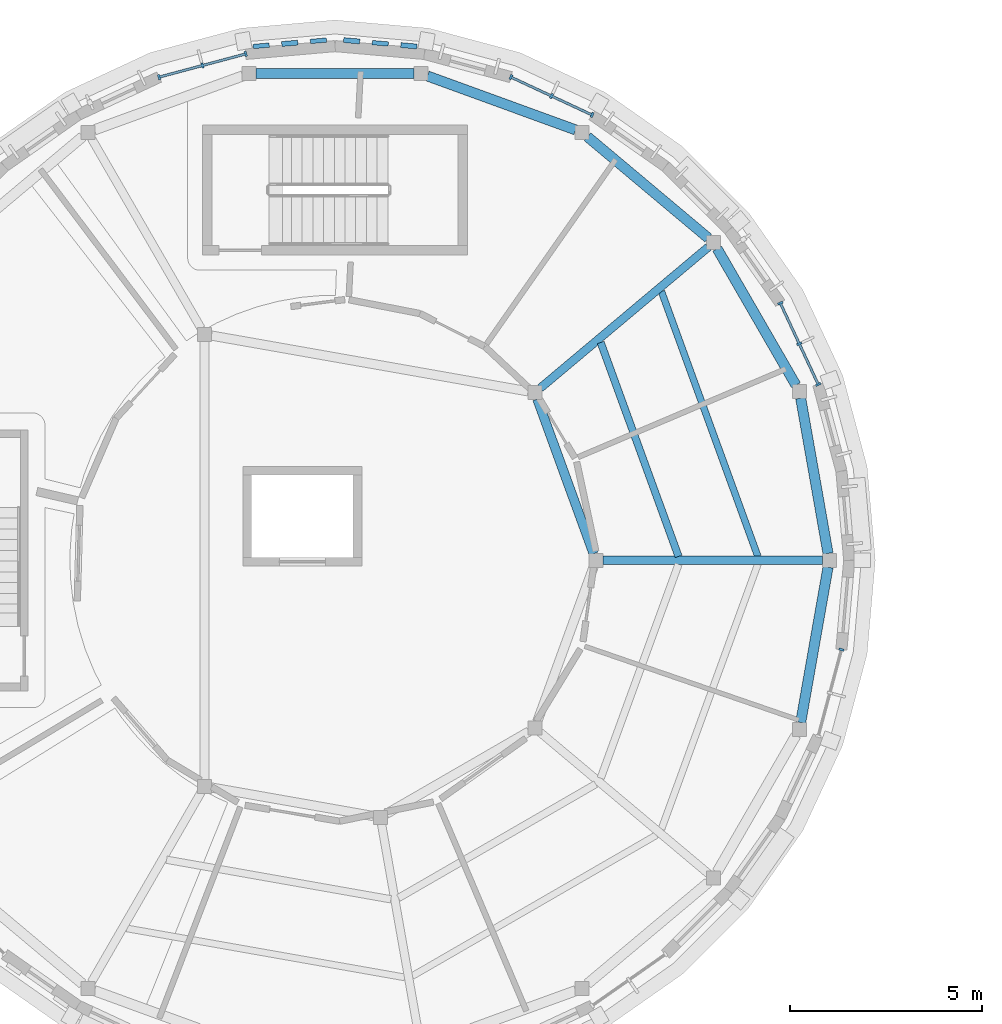
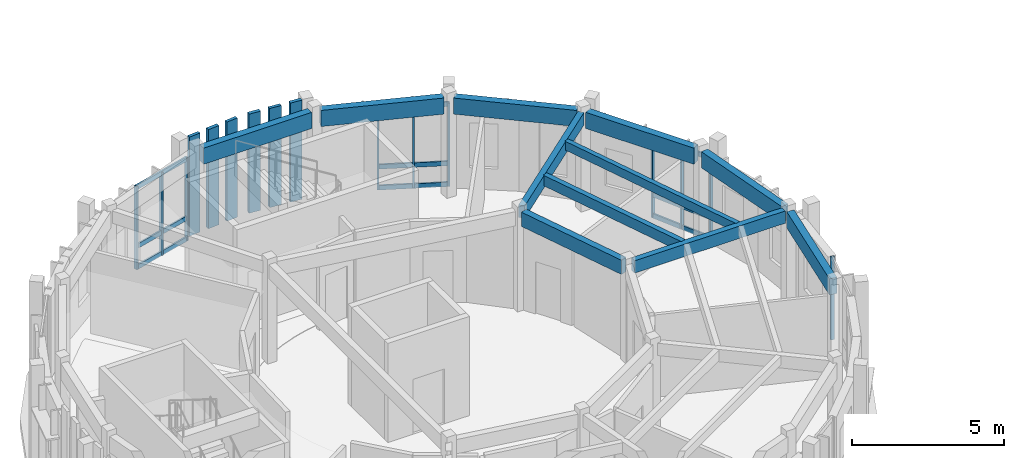
# One storey, part 15 of 58: 25 members, 11 beams, 4 elements without a shape of their own.
"""IFC4 building model written with IfcOpenShell, lengths in metres."""

import ifcopenshell
import ifcopenshell.guid

model = None  # the IFC model being written
_history = None  # IfcOwnerHistory: only IFC2X3 demands one
_inside = {}  # id of a spatial element -> (the spatial element, [elements in it])
_under = {}  # id of a project, library or spatial element -> (it, [spatial elements below it])
_declared = {}  # id of a project -> (the project, [libraries it declares])
_typed = {}  # id of a type object -> (the type object, [elements of that type])
_made_of = {}  # id of a material, layer set ... -> (it, [elements and type objects made of it])


def new_model(schema):
    """Start an empty IFC model of exactly this schema.

    Asked for "IFC4X3", IfcOpenShell would pick the latest addendum, in which some entities
    have other attributes; the version numbers below select the first issue.
    IFC2X3 requires an IfcOwnerHistory on every rooted entity: one is made here for all.
    """
    global model, _history
    if schema == "IFC4X3":
        model = ifcopenshell.file(schema_version=(4, 3, 0, 0))
    else:
        model = ifcopenshell.file(schema=schema)
    _inside.clear()
    _under.clear()
    _declared.clear()
    _typed.clear()
    _made_of.clear()
    _history = None
    if model.schema == "IFC2X3":
        org = make("IfcOrganization", Name="unknown")
        user = make(
            "IfcPersonAndOrganization",
            ThePerson=make("IfcPerson", FamilyName="unknown"),
            TheOrganization=org,
        )
        app = make(
            "IfcApplication",
            ApplicationDeveloper=org,
            Version="unknown",
            ApplicationFullName="unknown",
            ApplicationIdentifier="unknown",
        )
        _history = make(
            "IfcOwnerHistory",
            OwningUser=user,
            OwningApplication=app,
            ChangeAction="ADDED",
            CreationDate=0,
        )
    return model


def make(cls, **values):
    """One entity of the class cls with the attributes given. An attribute that is None is left unset."""
    return model.create_entity(
        cls, **{name: value for name, value in values.items() if value is not None}
    )


def rooted(cls, **values):
    """An entity with a GlobalId (a new one), such as an element, a storey or a relation."""
    return make(cls, GlobalId=ifcopenshell.guid.new(), OwnerHistory=_history, **values)


def si_unit(unit_type, name, prefix=None):
    """IfcSIUnit, for example si_unit("LENGTHUNIT", "METRE", prefix="MILLI")."""
    return make("IfcSIUnit", UnitType=unit_type, Prefix=prefix, Name=name)


def assignment(units):
    """IfcUnitAssignment: the units of a project."""
    return None if units is None else make("IfcUnitAssignment", Units=units)


def point(xyz):
    """IfcCartesianPoint."""
    return None if xyz is None else make("IfcCartesianPoint", Coordinates=xyz)


def direction(xyz):
    """IfcDirection."""
    return None if xyz is None else make("IfcDirection", DirectionRatios=xyz)


def frame(location, z_axis=None, x_axis=None):
    """IfcAxis2Placement3D, a coordinate frame: its origin and axes. An axis left out is left unset."""
    return make(
        "IfcAxis2Placement3D",
        Location=point(location),
        Axis=direction(z_axis),
        RefDirection=direction(x_axis),
    )


def frame_2d(location, x_axis=None):
    """IfcAxis2Placement2D, a coordinate frame in the plane: its origin and x axis."""
    return make(
        "IfcAxis2Placement2D", Location=point(location), RefDirection=direction(x_axis)
    )


def origin():
    """The frame at (0, 0, 0) with its axes left unset."""
    return frame((0.0, 0.0, 0.0))


def origin_2d():
    """The frame at (0, 0) in the plane with its x axis left unset."""
    return frame_2d((0.0, 0.0))


def place(relative_to, where):
    """IfcLocalPlacement: puts the frame where relative to a parent placement (None: the world)."""
    return make(
        "IfcLocalPlacement", PlacementRelTo=relative_to, RelativePlacement=where
    )


def context(
    kind, dimensions, precision=None, world=None, true_north=None, identifier=None
):
    """IfcGeometricRepresentationContext, for example the 3D "Model" context."""
    return make(
        "IfcGeometricRepresentationContext",
        ContextIdentifier=identifier,
        ContextType=kind,
        CoordinateSpaceDimension=dimensions,
        Precision=precision,
        WorldCoordinateSystem=world,
        TrueNorth=true_north,
    )


def subcontext(parent, identifier, kind, view, scale=None):
    """IfcGeometricRepresentationSubContext, for example "Body" below "Model"."""
    return make(
        "IfcGeometricRepresentationSubContext",
        ContextIdentifier=identifier,
        ContextType=kind,
        ParentContext=parent,
        TargetScale=scale,
        TargetView=view,
    )


def project(units=None, contexts=None):
    """IfcProject with its units and contexts."""
    return rooted(
        "IfcProject",
        Name="project",
        RepresentationContexts=contexts,
        UnitsInContext=assignment(units),
    )


def spatial(cls, under=None, at=None, **own):
    """A site, building, storey or space (cls), placed at a placement, below another one or the project."""
    s = rooted(cls, ObjectPlacement=at, **own)
    if under is not None:
        _under.setdefault(under.id(), (under, []))[1].append(s)
    return s


def profile(cls, at=None, kind="AREA", **sizes):
    """A parametric profile (cls). Its sizes go by their IFC names, for example OverallWidth=200.0."""
    return make(cls, ProfileType=kind, Position=at, **sizes)


def rectangle(**sizes):
    """IfcRectangleProfileDef."""
    return profile("IfcRectangleProfileDef", **sizes)


def extrude(swept, where, along, depth):
    """IfcExtrudedAreaSolid: the profile swept, set in the frame where, extruded along a direction by depth."""
    return make(
        "IfcExtrudedAreaSolid",
        SweptArea=swept,
        Position=where,
        ExtrudedDirection=direction(along),
        Depth=depth,
    )


def shape(context_of_items, identifier, shape_type, items):
    """IfcShapeRepresentation: the items that make up one representation, for example the "Body"."""
    return make(
        "IfcShapeRepresentation",
        ContextOfItems=context_of_items,
        RepresentationIdentifier=identifier,
        RepresentationType=shape_type,
        Items=items,
    )


def material(Name=None, Category=None):
    """IfcMaterial."""
    return make("IfcMaterial", Name=Name, Category=Category)


def layer(
    of_material, thickness, ventilated=None, Name=None, Category=None, Priority=None
):
    """IfcMaterialLayer: one layer of a wall or slab, of a material (None: an air gap)."""
    return make(
        "IfcMaterialLayer",
        Material=of_material,
        LayerThickness=thickness,
        IsVentilated=ventilated,
        Name=Name,
        Category=Category,
        Priority=Priority,
    )


def layer_set(layers, Name=None):
    """IfcMaterialLayerSet."""
    return make("IfcMaterialLayerSet", MaterialLayers=layers, LayerSetName=Name)


def material_profile(
    of_material, cross_section, Name=None, Category=None, Priority=None
):
    """IfcMaterialProfile: a cross section and its material."""
    return make(
        "IfcMaterialProfile",
        Name=Name,
        Material=of_material,
        Profile=cross_section,
        Priority=Priority,
        Category=Category,
    )


def profile_set(profiles, Name=None, composite=None):
    """IfcMaterialProfileSet."""
    return make(
        "IfcMaterialProfileSet",
        Name=Name,
        MaterialProfiles=profiles,
        CompositeProfile=composite,
    )


def made_of(thing, what):
    """Note that an element or type object is made of a material, layer set ...; save() writes the relation."""
    if what is not None:
        _made_of.setdefault(what.id(), (what, []))[1].append(thing)
    return thing


def type_object(cls, material=None, **own):
    """A type object (cls), such as IfcWallType, which elements share."""
    return made_of(rooted(cls, **own), material)


def element(
    cls,
    number,
    at=None,
    inside=None,
    cuts=None,
    type_object=None,
    material=None,
    context=None,
    identifier="Body",
    shape_type=None,
    held_by="IfcProductDefinitionShape",
    body=None,
    shapes=None,
    **own,
):
    """One element of the class cls, such as IfcWall. Its Tag is "e" and its number.

    at: its placement. inside: the storey or other place that contains it. cuts: it is an
    opening in that element (IfcRelVoidsElement). A single representation is given by context,
    identifier, shape_type and body (its items); several are given by shapes. held_by: the class
    of the entity that holds the representations. save() writes the other relations.
    """
    e = rooted(cls, Tag="e%d" % number, ObjectPlacement=at, **own)
    if body is not None:
        shapes = [shape(context, identifier, shape_type, body)]
    if shapes is not None:
        e.Representation = make(held_by, Representations=shapes)
    if inside is not None:
        _inside.setdefault(inside.id(), (inside, []))[1].append(e)
    if cuts is not None:
        rooted(
            "IfcRelVoidsElement", RelatingBuildingElement=cuts, RelatedOpeningElement=e
        )
    if type_object is not None:
        _typed.setdefault(type_object.id(), (type_object, []))[1].append(e)
    return made_of(e, material)


def aggregate(whole, parts):
    """IfcRelAggregates: a whole, such as a stair, and the parts it consists of."""
    return rooted("IfcRelAggregates", RelatingObject=whole, RelatedObjects=parts)


def save(model, path):
    """Write the relations noted so far, then the file.

    IfcRelAggregates (storeys below a building ...), IfcRelContainedInSpatialStructure (elements
    in a storey), IfcRelDefinesByType, IfcRelAssociatesMaterial and IfcRelDeclares: one each for
    every whole, place, type object, material and project.
    """
    for whole, parts in _under.values():
        aggregate(whole, parts)
    for where, things in _inside.values():
        rooted(
            "IfcRelContainedInSpatialStructure",
            RelatedElements=things,
            RelatingStructure=where,
        )
    for kind, things in _typed.values():
        rooted("IfcRelDefinesByType", RelatedObjects=things, RelatingType=kind)
    for what, things in _made_of.values():
        rooted("IfcRelAssociatesMaterial", RelatedObjects=things, RelatingMaterial=what)
    for by, libraries in _declared.values():
        rooted("IfcRelDeclares", RelatingContext=by, RelatedDefinitions=libraries)
    model.write(path)


model = new_model("IFC4")

# Units and contexts
model_context = context("Model", 3, precision=1e-05, world=origin(), true_north=direction((0.0, 1.0)))
body_context = subcontext(model_context, "Body", "Model", "MODEL_VIEW")
ifc_project = project(units=[si_unit("LENGTHUNIT", "METRE"), si_unit("AREAUNIT", "SQUARE_METRE"), si_unit("VOLUMEUNIT", "CUBIC_METRE"), si_unit("PLANEANGLEUNIT", "RADIAN"), si_unit("MASSUNIT", "GRAM", prefix="KILO")], contexts=[model_context])

# Site, building, storey
site_placement = place(None, origin())
site = spatial("IfcSite", under=ifc_project, at=site_placement, CompositionType="ELEMENT")
building_placement = place(site_placement, origin())
building = spatial("IfcBuilding", under=site, at=building_placement, Name="Aldenvaro Health Centre", CompositionType="ELEMENT")
storey_placement = place(building_placement, frame((0.0, 0.0, 8.75)))
storey = spatial("IfcBuildingStorey", under=building, at=storey_placement, Name="L02", CompositionType="ELEMENT", Elevation=8.75)

# Beams
ifc_material_1 = material(Name="Glulam GL28h", Category="wood")
ifc_material_profile_1 = material_profile(ifc_material_1, rectangle(XDim=0.175048828125, YDim=0.35009765625, at=origin_2d()), Name="GL 175x350", Category="wood")
ifc_profile_set_1 = profile_set([ifc_material_profile_1], Name="Glulam GL28h")
beam_type_1 = type_object("IfcBeamType", Name="BM-GL-350", PredefinedType="JOIST", material=ifc_profile_set_1)
beam_1_placement = place(storey_placement, frame((29.51904296875, 99.60107421875, 3.800048828125), z_axis=(-0.341985813082, 0.939705115263, 0.0), x_axis=(-0.939705115263, -0.341985813082, 0.0)))
element("IfcBeam", 1, at=beam_1_placement, inside=storey, type_object=beam_type_1, Name="D4 L02 secondary joist 01.2", PredefinedType="JOIST", context=body_context, shape_type="SweptSolid", body=[
    extrude(rectangle(XDim=0.175048828125, YDim=0.35009765625, at=origin_2d()), origin(), (0.0, 0.0, 1.0), 7.34814453125),
])
ifc_material_profile_2 = material_profile(ifc_material_1, rectangle(XDim=0.18994140625, YDim=0.41796875, at=origin_2d()), Name="GL 190x418", Category="wood")
ifc_profile_set_2 = profile_set([ifc_material_profile_2], Name="Glulam GL28h")
beam_type_2 = type_object("IfcBeamType", Name="BM-GL-418", PredefinedType="JOIST", material=ifc_profile_set_2)
beam_2_placement = place(storey_placement, frame((27.451904296875, 99.60107421875, 3.76611328125), z_axis=(-0.341921455433, 0.939728534373, 0.0), x_axis=(-0.939728534373, -0.341921455433, 0.0)))
element("IfcBeam", 2, at=beam_2_placement, inside=storey, type_object=beam_type_2, Name="D4 L02 secondary joist 01.1", PredefinedType="JOIST", context=body_context, shape_type="SweptSolid", body=[
    extrude(rectangle(XDim=0.18994140625, YDim=0.41796875, at=origin_2d()), origin(), (0.0, 0.0, 1.0), 5.93359375),
])
ifc_material_profile_3 = material_profile(ifc_material_1, rectangle(XDim=0.215087890625, YDim=0.493896484375, at=origin_2d()), Name="GL 215x494", Category="wood")
ifc_profile_set_3 = profile_set([ifc_material_profile_3], Name="Glulam GL28h")
beam_type_3 = type_object("IfcBeamType", Name="BM-GL-494", PredefinedType="BEAM", material=ifc_profile_set_3)
beam_3_placement = place(storey_placement, frame((25.48291015625, 99.5, 3.72802734375), z_axis=(1.0, 0.0, 0.0), x_axis=(0.0, 1.0, 0.0)))
element("IfcBeam", 3, at=beam_3_placement, inside=storey, type_object=beam_type_3, Name="D4 L02 radial beam 01", PredefinedType="BEAM", context=body_context, shape_type="SweptSolid", body=[
    extrude(rectangle(XDim=0.215087890625, YDim=0.493896484375, at=origin_2d()), origin(), (0.0, 0.0, 1.0), 5.714111328125),
])
beam_4_placement = place(storey_placement, frame((23.84912109375, 103.988037109375, 3.72802734375), z_axis=(0.765996790542, 0.642844395542, 0.0), x_axis=(-0.642844395542, 0.765996790542, 0.0)))
element("IfcBeam", 4, at=beam_4_placement, inside=storey, type_object=beam_type_3, Name="D4 L02 radial beam 02", PredefinedType="BEAM", context=body_context, shape_type="SweptSolid", body=[
    extrude(rectangle(XDim=0.215087890625, YDim=0.493896484375, at=origin_2d()), origin(), (0.0, 0.0, 1.0), 5.71533203125),
])
ifc_material_profile_4 = material_profile(ifc_material_1, rectangle(XDim=0.239990234375, YDim=0.570068359375, at=origin_2d()), Name="GL 240x570", Category="wood")
ifc_profile_set_4 = profile_set([ifc_material_profile_4], Name="Glulam GL28h")
beam_type_4 = type_object("IfcBeamType", Name="BM-GL-570", PredefinedType="BEAM", material=ifc_profile_set_4)
beam_5_placement = place(storey_placement, frame((25.238037109375, 99.6708984375, 3.68994140625), z_axis=(-0.342140767649, 0.939648708355, 0.0), x_axis=(-0.939648708355, -0.342140767649, 0.0)))
element("IfcBeam", 5, at=beam_5_placement, inside=storey, type_object=beam_type_4, Name="D4 L02 inner ring beam 01", PredefinedType="BEAM", context=body_context, shape_type="SweptSolid", body=[
    extrude(rectangle(XDim=0.239990234375, YDim=0.570068359375, at=origin_2d()), origin(), (0.0, 0.0, 1.0), 4.287841796875),
])
ifc_material_profile_5 = material_profile(ifc_material_1, rectangle(XDim=0.264892578125, YDim=0.64599609375, at=origin_2d()), Name="GL 265x646", Category="wood")
ifc_profile_set_5 = profile_set([ifc_material_profile_5], Name="Glulam GL28h")
beam_type_5 = type_object("IfcBeamType", Name="BM-GL-646", PredefinedType="SPANDREL", material=ifc_profile_set_5)
beam_6_placement = place(storey_placement, frame((31.347900390625, 99.679931640625, 3.652099609375), z_axis=(-0.173558149534, 0.984823623158, 0.0), x_axis=(-0.984823623158, -0.173558149534, 0.0)))
element("IfcBeam", 6, at=beam_6_placement, inside=storey, type_object=beam_type_5, Name="D4 L02 perimeter spandrel 01", PredefinedType="SPANDREL", context=body_context, shape_type="SweptSolid", body=[
    extrude(rectangle(XDim=0.264892578125, YDim=0.64599609375, at=origin_2d()), origin(), (0.0, 0.0, 1.0), 4.107421875),
])
for number, where, z_axis, x_axis, name in (
    (7, (30.511962890625, 104.06298828125, 3.652099609375), (-0.499941933745, 0.866058925757, 0.0), (-0.866058925757, -0.499941933745, 0.0), "D4 L02 perimeter spandrel 02"),
    (8, (28.22705078125, 107.89599609375, 3.652099609375), (-0.765985749545, 0.64285755148, 0.0), (-0.64285755148, -0.765985749545, 0.0), "D4 L02 perimeter spandrel 03"),
):
    element("IfcBeam", number, at=place(storey_placement, frame(where, z_axis=z_axis, x_axis=x_axis)), inside=storey, type_object=beam_type_5, Name=name, PredefinedType="SPANDREL", context=body_context, shape_type="SweptSolid", body=[
        extrude(rectangle(XDim=0.264892578125, YDim=0.64599609375, at=origin_2d()), origin(), (0.0, 0.0, 1.0), 4.1083984375),
    ])
beam_7_placement = place(storey_placement, frame((24.76904296875, 110.716064453125, 3.652099609375), z_axis=(-0.939638936846, 0.342167602738, 0.0), x_axis=(-0.342167602738, -0.939638936846, 0.0)))
element("IfcBeam", 9, at=beam_7_placement, inside=storey, type_object=beam_type_5, Name="D4 L02 perimeter spandrel 04", PredefinedType="SPANDREL", context=body_context, shape_type="SweptSolid", body=[
    extrude(rectangle(XDim=0.264892578125, YDim=0.64599609375, at=origin_2d()), origin(), (0.0, 0.0, 1.0), 4.109130859375),
])
beam_8_placement = place(storey_placement, frame((20.553955078125, 112.18408203125, 3.652099609375), z_axis=(-1.0, 0.0, 0.0), x_axis=(0.0, -1.0, 0.0)))
element("IfcBeam", 10, at=beam_8_placement, inside=storey, type_object=beam_type_5, Name="D4 L02 perimeter spandrel 05", PredefinedType="SPANDREL", context=body_context, shape_type="SweptSolid", body=[
    extrude(rectangle(XDim=0.264892578125, YDim=0.64599609375, at=origin_2d()), origin(), (0.0, 0.0, 1.0), 4.10791015625),
])
beam_9_placement = place(storey_placement, frame((30.635009765625, 95.27490234375, 3.652099609375), z_axis=(0.173558149534, 0.984823623158, 0.0), x_axis=(-0.984823623158, 0.173558149534, 0.0)))
element("IfcBeam", 11, at=beam_9_placement, inside=storey, type_object=beam_type_5, Name="D4 L02 perimeter spandrel 18", PredefinedType="SPANDREL", context=body_context, shape_type="SweptSolid", body=[
    extrude(rectangle(XDim=0.264892578125, YDim=0.64599609375, at=origin_2d()), origin(), (0.0, 0.0, 1.0), 4.107421875),
])

# Curtain wall, member
ifc_material_2 = material(Name="Anodised Aluminium 6063-T6", Category="aluminium")
ifc_layer = layer(ifc_material_2, 0.195068359375, Name="Anodised Aluminium 6063-T6", Category="aluminium")
ifc_layer_set = layer_set([ifc_layer], Name="Anodised Aluminium 6063-T6")
curtain_wall_type = type_object("IfcCurtainWallType", Name="CW-CLN-02", PredefinedType="NOTDEFINED", material=ifc_layer_set)
curtain_wall_1_placement = place(storey_placement, origin())
curtain_wall_1 = element("IfcCurtainWall", 12, at=curtain_wall_1_placement, inside=storey, type_object=curtain_wall_type, Name="D4 L02 curtain wall bay 02", PredefinedType="NOTDEFINED")
ifc_material_profile_6 = material_profile(ifc_material_2, rectangle(XDim=0.06005859375, YDim=0.135009765625, at=origin_2d()), Name="ALU 60x135", Category="aluminium")
ifc_profile_set_6 = profile_set([ifc_material_profile_6], Name="Anodised Aluminium 6063-T6")
member_type_1 = type_object("IfcMemberType", Name="CWM-150", PredefinedType="MULLION", material=ifc_profile_set_6)
member_1_placement = place(storey_placement, frame((31.696044921875, 97.173095703125, 0.0), z_axis=(0.0, 0.0, 1.0), x_axis=(-0.258621935517, -0.965978620089, 0.0)))
member_1 = element("IfcMember", 13, at=member_1_placement, type_object=member_type_1, Name="D4 L02 curtain wall bay 02 mullion 1", PredefinedType="MULLION", context=body_context, shape_type="SweptSolid", body=[
    extrude(rectangle(XDim=0.06005859375, YDim=0.135009765625, at=origin_2d()), origin(), (0.0, 0.0, 1.0), 3.3291015625),
])
aggregate(curtain_wall_1, [member_1])

# Curtain wall, members
curtain_wall_2_placement = place(storey_placement, origin())
curtain_wall_2 = element("IfcCurtainWall", 14, at=curtain_wall_2_placement, inside=storey, type_object=curtain_wall_type, Name="D4 L02 curtain wall bay 26", PredefinedType="NOTDEFINED")
member_2_placement = place(storey_placement, frame((13.9169921875, 112.092041015625, 0.0), z_axis=(0.0, 0.0, 1.0), x_axis=(0.965978620089, 0.258621935517, 0.0)))
member_2 = element("IfcMember", 15, at=member_2_placement, type_object=member_type_1, Name="D4 L02 curtain wall bay 26 mullion 1", PredefinedType="MULLION", context=body_context, shape_type="SweptSolid", body=[
    extrude(rectangle(XDim=0.06005859375, YDim=0.135009765625, at=origin_2d()), origin(), (0.0, 0.0, 1.0), 3.3291015625),
])
member_3_placement = place(storey_placement, frame((15.044921875, 112.39404296875, 0.0), z_axis=(0.0, 0.0, 1.0), x_axis=(0.965978620089, 0.258621935517, 0.0)))
member_3 = element("IfcMember", 16, at=member_3_placement, type_object=member_type_1, Name="D4 L02 curtain wall bay 26 mullion 2", PredefinedType="MULLION", context=body_context, shape_type="SweptSolid", body=[
    extrude(rectangle(XDim=0.06005859375, YDim=0.135009765625, at=origin_2d()), origin(), (0.0, 0.0, 1.0), 3.3291015625),
])
member_4_placement = place(storey_placement, frame((16.173095703125, 112.696044921875, 0.0), z_axis=(0.0, 0.0, 1.0), x_axis=(0.965978620089, 0.258621935517, 0.0)))
member_4 = element("IfcMember", 17, at=member_4_placement, type_object=member_type_1, Name="D4 L02 curtain wall bay 26 mullion 3", PredefinedType="MULLION", context=body_context, shape_type="SweptSolid", body=[
    extrude(rectangle(XDim=0.06005859375, YDim=0.135009765625, at=origin_2d()), origin(), (0.0, 0.0, 1.0), 3.3291015625),
])

curtain_wall_3_placement = place(storey_placement, origin())
curtain_wall_3 = element("IfcCurtainWall", 18, at=curtain_wall_3_placement, inside=storey, type_object=curtain_wall_type, Name="D4 L02 curtain wall bay 30", PredefinedType="NOTDEFINED")
member_5_placement = place(storey_placement, frame((23.0830078125, 112.092041015625, 0.0), z_axis=(0.0, 0.0, 1.0), x_axis=(0.90633620484, -0.422557314215, 0.0)))
member_5 = element("IfcMember", 19, at=member_5_placement, type_object=member_type_1, Name="D4 L02 curtain wall bay 30 mullion 1", PredefinedType="MULLION", context=body_context, shape_type="SweptSolid", body=[
    extrude(rectangle(XDim=0.06005859375, YDim=0.135009765625, at=origin_2d()), origin(), (0.0, 0.0, 1.0), 3.3291015625),
])
member_6_placement = place(storey_placement, frame((24.14208984375, 111.59912109375, 0.0), z_axis=(0.0, 0.0, 1.0), x_axis=(0.90633620484, -0.422557314215, 0.0)))
member_6 = element("IfcMember", 20, at=member_6_placement, type_object=member_type_1, Name="D4 L02 curtain wall bay 30 mullion 2", PredefinedType="MULLION", context=body_context, shape_type="SweptSolid", body=[
    extrude(rectangle(XDim=0.06005859375, YDim=0.135009765625, at=origin_2d()), origin(), (0.0, 0.0, 1.0), 3.3291015625),
])
member_7_placement = place(storey_placement, frame((25.199951171875, 111.10498046875, 0.0), z_axis=(0.0, 0.0, 1.0), x_axis=(0.90633620484, -0.422557314215, 0.0)))
member_7 = element("IfcMember", 21, at=member_7_placement, type_object=member_type_1, Name="D4 L02 curtain wall bay 30 mullion 3", PredefinedType="MULLION", context=body_context, shape_type="SweptSolid", body=[
    extrude(rectangle(XDim=0.06005859375, YDim=0.135009765625, at=origin_2d()), origin(), (0.0, 0.0, 1.0), 3.3291015625),
])

curtain_wall_4_placement = place(storey_placement, origin())
curtain_wall_4 = element("IfcCurtainWall", 22, at=curtain_wall_4_placement, inside=storey, type_object=curtain_wall_type, Name="D4 L02 curtain wall bay 34", PredefinedType="NOTDEFINED")
member_8_placement = place(storey_placement, frame((30.10498046875, 106.199951171875, 0.0), z_axis=(0.0, 0.0, 1.0), x_axis=(0.422557314215, -0.90633620484, 0.0)))
member_8 = element("IfcMember", 23, at=member_8_placement, type_object=member_type_1, Name="D4 L02 curtain wall bay 34 mullion 1", PredefinedType="MULLION", context=body_context, shape_type="SweptSolid", body=[
    extrude(rectangle(XDim=0.06005859375, YDim=0.135009765625, at=origin_2d()), origin(), (0.0, 0.0, 1.0), 3.3291015625),
])
member_9_placement = place(storey_placement, frame((30.59912109375, 105.14208984375, 0.0), z_axis=(0.0, 0.0, 1.0), x_axis=(0.422557314215, -0.90633620484, 0.0)))
member_9 = element("IfcMember", 24, at=member_9_placement, type_object=member_type_1, Name="D4 L02 curtain wall bay 34 mullion 2", PredefinedType="MULLION", context=body_context, shape_type="SweptSolid", body=[
    extrude(rectangle(XDim=0.06005859375, YDim=0.135009765625, at=origin_2d()), origin(), (0.0, 0.0, 1.0), 3.3291015625),
])
member_10_placement = place(storey_placement, frame((31.092041015625, 104.0830078125, 0.0), z_axis=(0.0, 0.0, 1.0), x_axis=(0.422557314215, -0.90633620484, 0.0)))
member_10 = element("IfcMember", 25, at=member_10_placement, type_object=member_type_1, Name="D4 L02 curtain wall bay 34 mullion 3", PredefinedType="MULLION", context=body_context, shape_type="SweptSolid", body=[
    extrude(rectangle(XDim=0.06005859375, YDim=0.135009765625, at=origin_2d()), origin(), (0.0, 0.0, 1.0), 3.3291015625),
])

# Member
ifc_material_profile_7 = material_profile(ifc_material_2, rectangle(XDim=0.06494140625, YDim=0.179931640625, at=origin_2d()), Name="ALU 65x180", Category="aluminium")
ifc_profile_set_7 = profile_set([ifc_material_profile_7], Name="Anodised Aluminium 6063-T6")
member_type_2 = type_object("IfcMemberType", Name="CWT-150", PredefinedType="USERDEFINED", material=ifc_profile_set_7)
member_11_placement = place(storey_placement, frame((13.9169921875, 112.092041015625, 0.06005859375), z_axis=(0.965981166673, 0.258612423585, 0.0), x_axis=(-0.258612423585, 0.965981166673, 0.0)))
member_11 = element("IfcMember", 26, at=member_11_placement, type_object=member_type_2, Name="D4 L02 curtain wall bay 26 transom 1", ObjectType="TRANSOM", PredefinedType="USERDEFINED", context=body_context, shape_type="SweptSolid", body=[
    extrude(rectangle(XDim=0.06494140625, YDim=0.179931640625, at=origin_2d()), origin(), (0.0, 0.0, 1.0), 2.33544921875),
])

member_12_placement = place(storey_placement, frame((13.9169921875, 112.092041015625, 0.89990234375), z_axis=(0.965981166673, 0.258612423585, 0.0), x_axis=(-0.258612423585, 0.965981166673, 0.0)))
member_12 = element("IfcMember", 27, at=member_12_placement, type_object=member_type_2, Name="D4 L02 curtain wall bay 26 transom 2", ObjectType="TRANSOM", PredefinedType="USERDEFINED", context=body_context, shape_type="SweptSolid", body=[
    extrude(rectangle(XDim=0.06494140625, YDim=0.179931640625, at=origin_2d()), origin(), (0.0, 0.0, 1.0), 2.33544921875),
])

member_13_placement = place(storey_placement, frame((13.9169921875, 112.092041015625, 3.26904296875), z_axis=(0.965981166673, 0.258612423585, 0.0), x_axis=(-0.258612423585, 0.965981166673, 0.0)))
member_13 = element("IfcMember", 28, at=member_13_placement, type_object=member_type_2, Name="D4 L02 curtain wall bay 26 transom 3", ObjectType="TRANSOM", PredefinedType="USERDEFINED", context=body_context, shape_type="SweptSolid", body=[
    extrude(rectangle(XDim=0.06494140625, YDim=0.179931640625, at=origin_2d()), origin(), (0.0, 0.0, 1.0), 2.33544921875),
])

aggregate(curtain_wall_2, [member_2, member_3, member_4, member_11, member_12, member_13])

member_14_placement = place(storey_placement, frame((23.0830078125, 112.092041015625, 0.06005859375), z_axis=(0.906321946979, -0.422587894318, 0.0), x_axis=(0.422587894318, 0.906321946979, 0.0)))
member_14 = element("IfcMember", 29, at=member_14_placement, type_object=member_type_2, Name="D4 L02 curtain wall bay 30 transom 1", ObjectType="TRANSOM", PredefinedType="USERDEFINED", context=body_context, shape_type="SweptSolid", body=[
    extrude(rectangle(XDim=0.06494140625, YDim=0.179931640625, at=origin_2d()), origin(), (0.0, 0.0, 1.0), 2.335693359375),
])

member_15_placement = place(storey_placement, frame((23.0830078125, 112.092041015625, 0.89990234375), z_axis=(0.906321946979, -0.422587894318, 0.0), x_axis=(0.422587894318, 0.906321946979, 0.0)))
member_15 = element("IfcMember", 30, at=member_15_placement, type_object=member_type_2, Name="D4 L02 curtain wall bay 30 transom 2", ObjectType="TRANSOM", PredefinedType="USERDEFINED", context=body_context, shape_type="SweptSolid", body=[
    extrude(rectangle(XDim=0.06494140625, YDim=0.179931640625, at=origin_2d()), origin(), (0.0, 0.0, 1.0), 2.335693359375),
])

member_16_placement = place(storey_placement, frame((23.0830078125, 112.092041015625, 3.26904296875), z_axis=(0.906321946979, -0.422587894318, 0.0), x_axis=(0.422587894318, 0.906321946979, 0.0)))
member_16 = element("IfcMember", 31, at=member_16_placement, type_object=member_type_2, Name="D4 L02 curtain wall bay 30 transom 3", ObjectType="TRANSOM", PredefinedType="USERDEFINED", context=body_context, shape_type="SweptSolid", body=[
    extrude(rectangle(XDim=0.06494140625, YDim=0.179931640625, at=origin_2d()), origin(), (0.0, 0.0, 1.0), 2.335693359375),
])

aggregate(curtain_wall_3, [member_5, member_6, member_7, member_14, member_15, member_16])

member_17_placement = place(storey_placement, frame((30.10498046875, 106.199951171875, 0.06005859375), z_axis=(0.422587894318, -0.906321946979, 0.0), x_axis=(0.906321946979, 0.422587894318, 0.0)))
member_17 = element("IfcMember", 32, at=member_17_placement, type_object=member_type_2, Name="D4 L02 curtain wall bay 34 transom 1", ObjectType="TRANSOM", PredefinedType="USERDEFINED", context=body_context, shape_type="SweptSolid", body=[
    extrude(rectangle(XDim=0.06494140625, YDim=0.179931640625, at=origin_2d()), origin(), (0.0, 0.0, 1.0), 2.335693359375),
])

member_18_placement = place(storey_placement, frame((30.10498046875, 106.199951171875, 0.89990234375), z_axis=(0.422587894318, -0.906321946979, 0.0), x_axis=(0.906321946979, 0.422587894318, 0.0)))
member_18 = element("IfcMember", 33, at=member_18_placement, type_object=member_type_2, Name="D4 L02 curtain wall bay 34 transom 2", ObjectType="TRANSOM", PredefinedType="USERDEFINED", context=body_context, shape_type="SweptSolid", body=[
    extrude(rectangle(XDim=0.06494140625, YDim=0.179931640625, at=origin_2d()), origin(), (0.0, 0.0, 1.0), 2.335693359375),
])

member_19_placement = place(storey_placement, frame((30.10498046875, 106.199951171875, 3.26904296875), z_axis=(0.422587894318, -0.906321946979, 0.0), x_axis=(0.906321946979, 0.422587894318, 0.0)))
member_19 = element("IfcMember", 34, at=member_19_placement, type_object=member_type_2, Name="D4 L02 curtain wall bay 34 transom 3", ObjectType="TRANSOM", PredefinedType="USERDEFINED", context=body_context, shape_type="SweptSolid", body=[
    extrude(rectangle(XDim=0.06494140625, YDim=0.179931640625, at=origin_2d()), origin(), (0.0, 0.0, 1.0), 2.335693359375),
])

aggregate(curtain_wall_4, [member_8, member_9, member_10, member_17, member_18, member_19])

# Members
ifc_material_profile_8 = material_profile(ifc_material_1, rectangle(XDim=0.114990234375, YDim=0.419921875, at=origin_2d()), Name="GL 115x420", Category="wood")
ifc_profile_set_8 = profile_set([ifc_material_profile_8], Name="Glulam GL28h")
member_type_3 = type_object("IfcMemberType", Name="MEM-SLT-420A", PredefinedType="POST", material=ifc_profile_set_8)
for number, where, z_axis, x_axis, name in (
    (35, (16.575927734375, 112.906982421875, 0.0), (0.0, 0.0, 1.0), (-0.087331575855, 0.996179299052, 0.0), "D4 L02 vertical timber slat 27.1"),
    (36, (18.06591796875, 113.0380859375, 0.0), (0.0, 0.0, 1.0), (-0.087331575855, 0.996179299052, 0.0), "D4 L02 vertical timber slat 27.3"),
    (37, (19.678955078125, 112.971923828125, 0.0), (0.0, 0.0, 1.0), (0.087331575855, 0.996179299052, 0.0), "D4 L02 vertical timber slat 28.2"),
):
    element("IfcMember", number, at=place(storey_placement, frame(where, z_axis=z_axis, x_axis=x_axis)), inside=storey, type_object=member_type_3, Name=name, PredefinedType="POST", context=body_context, shape_type="SweptSolid", body=[
        extrude(rectangle(XDim=0.114990234375, YDim=0.419921875, at=origin_2d()), origin(), (0.0, 0.0, 1.0), 3.97509765625),
    ])
ifc_material_profile_9 = material_profile(ifc_material_1, rectangle(XDim=0.1298828125, YDim=0.419921875, at=origin_2d()), Name="GL 130x420", Category="wood")
ifc_profile_set_9 = profile_set([ifc_material_profile_9], Name="Glulam GL28h")
member_type_4 = type_object("IfcMemberType", Name="MEM-SLT-420B", PredefinedType="POST", material=ifc_profile_set_9)
for number, where, z_axis, x_axis, name in (
    (38, (17.321044921875, 112.971923828125, 0.0), (0.0, 0.0, 1.0), (-0.087331575855, 0.996179299052, 0.0), "D4 L02 vertical timber slat 27.2"),
    (39, (18.93408203125, 113.0380859375, 0.0), (0.0, 0.0, 1.0), (0.087331575855, 0.996179299052, 0.0), "D4 L02 vertical timber slat 28.1"),
    (40, (20.424072265625, 112.906982421875, 0.0), (0.0, 0.0, 1.0), (0.087331575855, 0.996179299052, 0.0), "D4 L02 vertical timber slat 28.3"),
):
    element("IfcMember", number, at=place(storey_placement, frame(where, z_axis=z_axis, x_axis=x_axis)), inside=storey, type_object=member_type_4, Name=name, PredefinedType="POST", context=body_context, shape_type="SweptSolid", body=[
        extrude(rectangle(XDim=0.1298828125, YDim=0.419921875, at=origin_2d()), origin(), (0.0, 0.0, 1.0), 3.97509765625),
    ])

save(model, "model.ifc")
